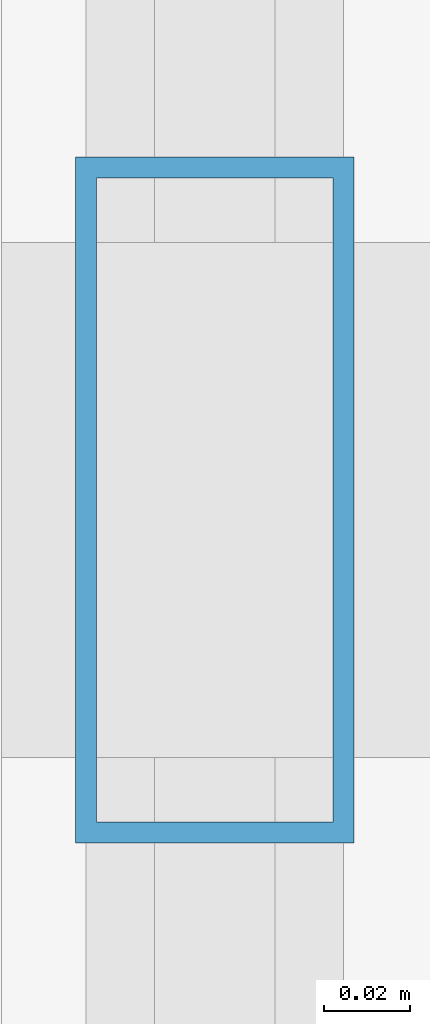
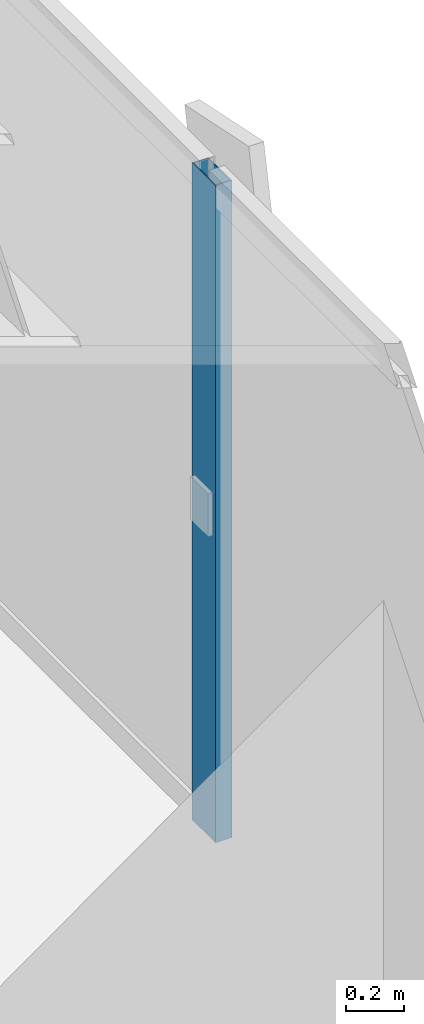
# One storey, part 11 of 28: 1 member, 1 element without a shape of its own.
"""IFC4 building model written with IfcOpenShell, lengths in metres."""

from ifc_helpers import new_model, si_unit, direction, frame, origin, origin_2d, place, context, subcontext, project, spatial, hollow_rectangle, extrude, source, transform, mapped, material, layer, layer_set, material_profile, profile_set, type_object, element, aggregate, save


model = new_model("IFC4")

# Units and contexts
model_context = context("Model", 3, precision=1e-05, world=origin(), true_north=direction((0.0, 1.0)))
body_context = subcontext(model_context, "Body", "Model", "MODEL_VIEW")
ifc_project = project(units=[si_unit("LENGTHUNIT", "METRE"), si_unit("AREAUNIT", "SQUARE_METRE"), si_unit("VOLUMEUNIT", "CUBIC_METRE"), si_unit("PLANEANGLEUNIT", "RADIAN"), si_unit("MASSUNIT", "GRAM", prefix="KILO")], contexts=[model_context])

# Site, building, storey
site_placement = place(None, origin())
site = spatial("IfcSite", under=ifc_project, at=site_placement, CompositionType="ELEMENT")
building_placement = place(site_placement, origin())
building = spatial("IfcBuilding", under=site, at=building_placement, Name="Sumidabori Civic Tower", CompositionType="ELEMENT")
storey_placement = place(building_placement, frame((0.0, 0.0, 167.60009765625)))
storey = spatial("IfcBuildingStorey", under=building, at=storey_placement, Name="L43", CompositionType="ELEMENT", Elevation=167.60009765625)

# Curtain wall, member
ifc_material = material(Name="Anodised Bronze Aluminium AW-6063-T6", Category="aluminium")
ifc_layer = layer(ifc_material, 0.179931640625, Name="Anodised Bronze Aluminium AW-6063-T6")
ifc_layer_set = layer_set([ifc_layer], Name="Anodised Bronze Aluminium AW-6063-T6")
curtain_wall_type = type_object("IfcCurtainWallType", Name="CW-SYS-3", PredefinedType="NOTDEFINED", material=ifc_layer_set)
curtain_wall_placement = place(storey_placement, origin())
curtain_wall = element("IfcCurtainWall", 1, at=curtain_wall_placement, inside=storey, type_object=curtain_wall_type, Name="Curtain Wall CW:L43:R04", PredefinedType="NOTDEFINED")
ifc_material_profile = material_profile(ifc_material, hollow_rectangle(XDim=0.06494140625, YDim=0.159912109375, WallThickness=0.0048828125, at=origin_2d()), Name="ALU MULLION 160x65")
ifc_profile_set = profile_set([ifc_material_profile], Name="Anodised Bronze Aluminium AW-6063-T6")
member_type = type_object("IfcMemberType", Name="CW-MUL-160", PredefinedType="MULLION", material=ifc_profile_set)
shared_shape = source(origin(), body_context, "Body", "SweptSolid", [
    extrude(hollow_rectangle(XDim=0.06494140625, YDim=0.159912109375, WallThickness=0.0048828125, at=origin_2d()), origin(), (0.0, 0.0, 1.0), 2.760009765625),
])
member_placement = place(storey_placement, frame((23.8798828125, -8.3349609375, 0.0), z_axis=(0.0, 0.0, 1.0), x_axis=(-1.0, 0.0, 0.0)))
member = element("IfcMember", 2, at=member_placement, type_object=member_type, Name="CW-3 mullion 2", PredefinedType="MULLION", context=body_context, shape_type="MappedRepresentation", body=[
    mapped(shared_shape, transform((0.0, 0.0, 0.0), x_axis=(1.0, 0.0, 0.0), y_axis=(0.0, 1.0, 0.0), z_axis=(0.0, 0.0, 1.0), scale=1.0)),
])
aggregate(curtain_wall, [member])

save(model, "model.ifc")
